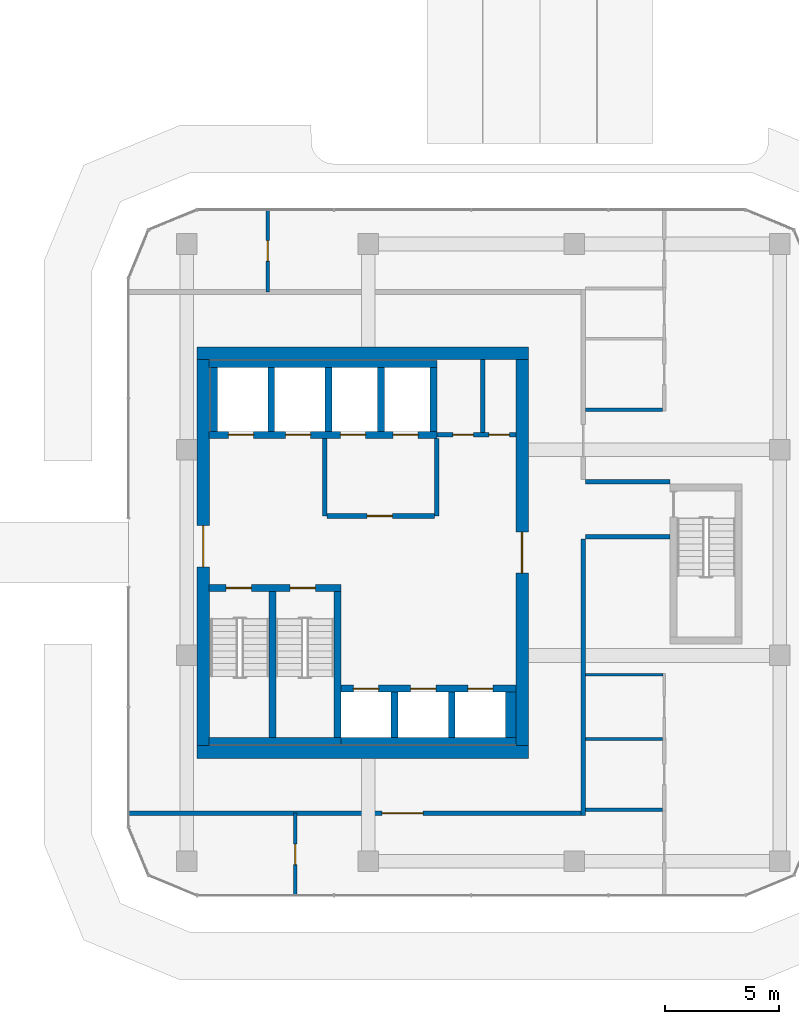
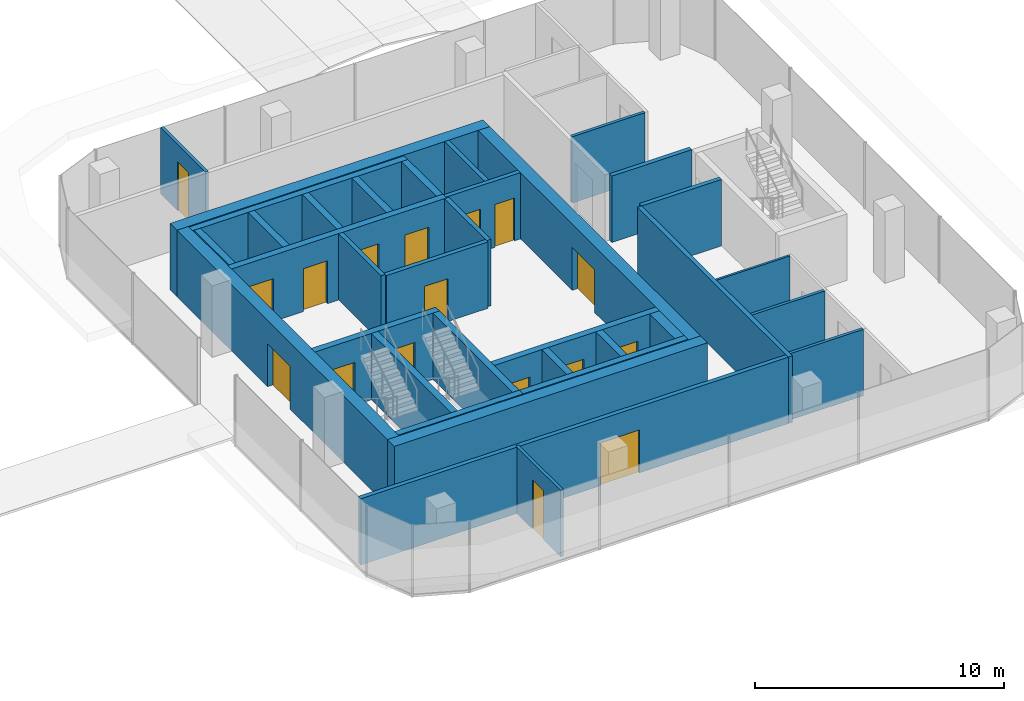
# One storey, part 18 of 24: 35 walls, 17 doors, 17 openings.
"""IFC4 building model written with IfcOpenShell, lengths in metres."""

from ifc_helpers import new_model, si_unit, direction, frame, frame_2d, origin, place, context, subcontext, project, spatial, rectangle, extrude, material, layer, layer_set, type_object, element, fill, save


model = new_model("IFC4")

# Units and contexts
model_context = context("Model", 3, precision=1e-05, world=origin(), true_north=direction((0.0, 1.0)))
body_context = subcontext(model_context, "Body", "Model", "MODEL_VIEW")
ifc_project = project(units=[si_unit("LENGTHUNIT", "METRE"), si_unit("AREAUNIT", "SQUARE_METRE"), si_unit("VOLUMEUNIT", "CUBIC_METRE"), si_unit("PLANEANGLEUNIT", "RADIAN"), si_unit("MASSUNIT", "GRAM", prefix="KILO")], contexts=[model_context])

# Site, building, storey
site_placement = place(None, origin())
site = spatial("IfcSite", under=ifc_project, at=site_placement, CompositionType="ELEMENT")
building_placement = place(site_placement, origin())
building = spatial("IfcBuilding", under=site, at=building_placement, Name="Plateau Cross Towers", CompositionType="ELEMENT")
storey_placement = place(building_placement, frame((0.0, 0.0, 30.300048828125)))
storey = spatial("IfcBuildingStorey", under=building, at=storey_placement, Name="L06", CompositionType="ELEMENT", Elevation=30.300048828125)

# Wall
ifc_material_1 = material(Name="Concrete block, plastered both sides", Category="concrete")
ifc_layer_1 = layer(ifc_material_1, 0.199951171875)
ifc_layer_set_1 = layer_set([ifc_layer_1], Name="Concrete block, plastered both sides")
wall_type_1 = type_object("IfcWallType", Name="Core partition 200", PredefinedType="PARTITIONING", material=ifc_layer_set_1)
wall_1_placement = place(storey_placement, frame((80.60009765625, 10.60009765625, 0.0), z_axis=(0.0, 0.0, 1.0), x_axis=(0.0, 1.0, 0.0)))
element("IfcWall", 1, at=wall_1_placement, inside=storey, type_object=wall_type_1, Name="Core partition", PredefinedType="PARTITIONING", context=body_context, shape_type="SweptSolid", body=[
    extrude(rectangle(XDim=3.39990234375, YDim=0.199951171875, at=frame_2d((1.699951171875, 0.0))), origin(), (0.0, 0.0, 1.0), 3.25),
])

# Wall, opening, door
wall_2_placement = place(storey_placement, frame((80.699951171875, 10.60009765625, 0.0), z_axis=(0.0, 0.0, 1.0), x_axis=(1.0, 0.0, 0.0)))
wall_2 = element("IfcWall", 2, at=wall_2_placement, inside=storey, type_object=wall_type_1, Name="Core partition", PredefinedType="PARTITIONING", context=body_context, shape_type="SweptSolid", body=[
    extrude(rectangle(XDim=4.699951171875, YDim=0.199951171875, at=frame_2d((2.35009765625, 0.0))), origin(), (0.0, 0.0, 1.0), 3.25),
])
opening_1_placement = place(wall_2_placement, frame((1.75, 0.0, 0.0)))
opening_1 = element("IfcOpeningElement", 3, at=opening_1_placement, cuts=wall_2, Name="Opening FFD", PredefinedType="OPENING", context=body_context, shape_type="SweptSolid", body=[
    extrude(rectangle(XDim=1.10009765625, YDim=2.10009765625, at=frame_2d((0.550048828125, 1.050048828125))), frame((0.0, 0.10986328125, 0.0), z_axis=(0.0, -1.0, 0.0), x_axis=(1.0, 0.0, 0.0)), (0.0, 0.0, 1.0), 0.219970703125),
])
ifc_material_2 = material(Name="Steel, fire-resisting leaf", Category="steel")
door_type_1 = type_object("IfcDoorType", Name="Firefighting lobby door 1100", OperationType="NOTDEFINED", PredefinedType="DOOR", material=ifc_material_2)
door_1_placement = place(opening_1_placement, origin())
door_1 = element("IfcDoor", 4, at=door_1_placement, inside=storey, type_object=door_type_1, Name="Firefighting lobby door FFD", OperationType="SINGLE_SWING_LEFT", OverallHeight=2.10009765625, OverallWidth=1.10009765625, PredefinedType="DOOR", context=body_context, shape_type="SweptSolid", body=[
    extrude(rectangle(XDim=1.10009765625, YDim=2.10009765625, at=frame_2d((0.550048828125, 1.050048828125))), frame((0.0, 0.02490234375, 0.0), z_axis=(0.0, -1.0, 0.0), x_axis=(1.0, 0.0, 0.0)), (0.0, 0.0, 1.0), 0.050048828125),
])
fill(opening_1, door_1)

# Wall
wall_3_placement = place(storey_placement, frame((85.5, 10.60009765625, 0.0), z_axis=(0.0, 0.0, 1.0), x_axis=(0.0, 1.0, 0.0)))
element("IfcWall", 5, at=wall_3_placement, inside=storey, type_object=wall_type_1, Name="Core partition", PredefinedType="PARTITIONING", context=body_context, shape_type="SweptSolid", body=[
    extrude(rectangle(XDim=3.39990234375, YDim=0.199951171875, at=frame_2d((1.699951171875, 0.0))), origin(), (0.0, 0.0, 1.0), 3.25),
])

# Wall, openings, doors
wall_4_placement = place(storey_placement, frame((85.5, 14.14990234375, 0.0), z_axis=(0.0, 0.0, 1.0), x_axis=(1.0, 0.0, 0.0)))
wall_4 = element("IfcWall", 6, at=wall_4_placement, inside=storey, type_object=wall_type_1, Name="Core partition", PredefinedType="PARTITIONING", context=body_context, shape_type="SweptSolid", body=[
    extrude(rectangle(XDim=3.449951171875, YDim=0.199951171875, at=frame_2d((1.72509765625, 0.0))), origin(), (0.0, 0.0, 1.0), 3.25),
])
opening_2_placement = place(wall_4_placement, frame((0.699951171875, 0.0, 0.0)))
opening_2 = element("IfcOpeningElement", 7, at=opening_2_placement, cuts=wall_4, Name="Opening RD2", PredefinedType="OPENING", context=body_context, shape_type="SweptSolid", body=[
    extrude(rectangle(XDim=0.89990234375, YDim=2.10009765625, at=frame_2d((0.449951171875, 1.050048828125))), frame((0.0, 0.10986328125, 0.0), z_axis=(0.0, -1.0, 0.0), x_axis=(1.0, 0.0, 0.0)), (0.0, 0.0, 1.0), 0.219970703125),
])
opening_3_placement = place(wall_4_placement, frame((2.27490234375, 0.0, 0.0)))
opening_3 = element("IfcOpeningElement", 8, at=opening_3_placement, cuts=wall_4, Name="Opening RD2", PredefinedType="OPENING", context=body_context, shape_type="SweptSolid", body=[
    extrude(rectangle(XDim=0.89990234375, YDim=2.10009765625, at=frame_2d((0.449951171875, 1.050048828125))), frame((0.0, 0.10986328125, 0.0), z_axis=(0.0, -1.0, 0.0), x_axis=(1.0, 0.0, 0.0)), (0.0, 0.0, 1.0), 0.219970703125),
])
door_type_2 = type_object("IfcDoorType", Name="Core riser door 900", OperationType="NOTDEFINED", PredefinedType="DOOR", material=ifc_material_2)
door_2_placement = place(opening_2_placement, origin())
door_2 = element("IfcDoor", 9, at=door_2_placement, inside=storey, type_object=door_type_2, Name="Core riser door RD2", OperationType="SINGLE_SWING_LEFT", OverallHeight=2.10009765625, OverallWidth=0.89990234375, PredefinedType="DOOR", context=body_context, shape_type="SweptSolid", body=[
    extrude(rectangle(XDim=0.89990234375, YDim=2.10009765625, at=frame_2d((0.449951171875, 1.050048828125))), frame((0.0, 0.02490234375, 0.0), z_axis=(0.0, -1.0, 0.0), x_axis=(1.0, 0.0, 0.0)), (0.0, 0.0, 1.0), 0.050048828125),
])
fill(opening_2, door_2)
door_3_placement = place(opening_3_placement, origin())
door_3 = element("IfcDoor", 10, at=door_3_placement, inside=storey, type_object=door_type_2, Name="Core riser door RD2", OperationType="SINGLE_SWING_LEFT", OverallHeight=2.10009765625, OverallWidth=0.89990234375, PredefinedType="DOOR", context=body_context, shape_type="SweptSolid", body=[
    extrude(rectangle(XDim=0.89990234375, YDim=2.10009765625, at=frame_2d((0.449951171875, 1.050048828125))), frame((0.0, 0.02490234375, 0.0), z_axis=(0.0, -1.0, 0.0), x_axis=(1.0, 0.0, 0.0)), (0.0, 0.0, 1.0), 0.050048828125),
])
fill(opening_3, door_3)

# Walls
wall_5_placement = place(storey_placement, frame((87.5, 14.25, 0.0), z_axis=(0.0, 0.0, 1.0), x_axis=(0.0, 1.0, 0.0)))
element("IfcWall", 11, at=wall_5_placement, inside=storey, type_object=wall_type_1, Name="Core partition", PredefinedType="PARTITIONING", context=body_context, shape_type="SweptSolid", body=[
    extrude(rectangle(XDim=3.199951171875, YDim=0.199951171875, at=frame_2d((1.60009765625, 0.0))), origin(), (0.0, 0.0, 1.0), 3.25),
])
ifc_material_3 = material(Name="Concrete C60/75", Category="concrete")
ifc_layer_2 = layer(ifc_material_3, 0.300048828125)
ifc_layer_set_2 = layer_set([ifc_layer_2], Name="Concrete C60/75")
wall_type_2 = type_object("IfcWallType", Name="Core shaft wall 300", PredefinedType="SHEAR", material=ifc_layer_set_2)
wall_6_placement = place(storey_placement, frame((75.530029296875, 0.75, 0.0), z_axis=(0.0, 0.0, 1.0), x_axis=(1.0, 0.0, 0.0)))
element("IfcWall", 12, at=wall_6_placement, inside=storey, type_object=wall_type_2, Name="B-sb-stS@L06", PredefinedType="SHEAR", context=body_context, shape_type="SweptSolid", body=[
    extrude(rectangle(XDim=5.77001953125, YDim=0.300048828125, at=frame_2d((2.885009765625, 0.0))), origin(), (0.0, 0.0, 1.0), 3.25),
])

# Wall, openings, doors
wall_7_placement = place(storey_placement, frame((75.530029296875, 7.449951171875, 0.0), z_axis=(0.0, 0.0, 1.0), x_axis=(1.0, 0.0, 0.0)))
wall_7 = element("IfcWall", 13, at=wall_7_placement, inside=storey, type_object=wall_type_2, Name="B-sb-stN@L06", PredefinedType="SHEAR", context=body_context, shape_type="SweptSolid", body=[
    extrude(rectangle(XDim=5.77001953125, YDim=0.300048828125, at=frame_2d((2.885009765625, 0.0))), origin(), (0.0, 0.0, 1.0), 3.25),
])
opening_4_placement = place(wall_7_placement, frame((0.75, 0.0, 0.0)))
opening_4 = element("IfcOpeningElement", 14, at=opening_4_placement, cuts=wall_7, Name="Opening SD", PredefinedType="OPENING", context=body_context, shape_type="SweptSolid", body=[
    extrude(rectangle(XDim=1.10009765625, YDim=2.10009765625, at=frame_2d((0.550048828125, 1.050048828125))), frame((0.0, 0.159912109375, 0.0), z_axis=(0.0, -1.0, 0.0), x_axis=(1.0, 0.0, 0.0)), (0.0, 0.0, 1.0), 0.320068359375),
])
opening_5_placement = place(wall_7_placement, frame((3.550048828125, 0.0, 0.0)))
opening_5 = element("IfcOpeningElement", 15, at=opening_5_placement, cuts=wall_7, Name="Opening SD", PredefinedType="OPENING", context=body_context, shape_type="SweptSolid", body=[
    extrude(rectangle(XDim=1.10009765625, YDim=2.10009765625, at=frame_2d((0.550048828125, 1.050048828125))), frame((0.0, 0.159912109375, 0.0), z_axis=(0.0, -1.0, 0.0), x_axis=(1.0, 0.0, 0.0)), (0.0, 0.0, 1.0), 0.320068359375),
])
door_type_3 = type_object("IfcDoorType", Name="Stair door 1100", OperationType="NOTDEFINED", PredefinedType="DOOR", material=ifc_material_2)
door_4_placement = place(opening_4_placement, origin())
door_4 = element("IfcDoor", 16, at=door_4_placement, inside=storey, type_object=door_type_3, Name="Stair door SD", OperationType="SINGLE_SWING_RIGHT", OverallHeight=2.10009765625, OverallWidth=1.10009765625, PredefinedType="DOOR", context=body_context, shape_type="SweptSolid", body=[
    extrude(rectangle(XDim=1.10009765625, YDim=2.10009765625, at=frame_2d((0.550048828125, 1.050048828125))), frame((0.0, 0.02490234375, 0.0), z_axis=(0.0, -1.0, 0.0), x_axis=(1.0, 0.0, 0.0)), (0.0, 0.0, 1.0), 0.050048828125),
])
fill(opening_4, door_4)
door_5_placement = place(opening_5_placement, origin())
door_5 = element("IfcDoor", 17, at=door_5_placement, inside=storey, type_object=door_type_3, Name="Stair door SD", OperationType="SINGLE_SWING_LEFT", OverallHeight=2.10009765625, OverallWidth=1.10009765625, PredefinedType="DOOR", context=body_context, shape_type="SweptSolid", body=[
    extrude(rectangle(XDim=1.10009765625, YDim=2.10009765625, at=frame_2d((0.550048828125, 1.050048828125))), frame((0.0, 0.02490234375, 0.0), z_axis=(0.0, -1.0, 0.0), x_axis=(1.0, 0.0, 0.0)), (0.0, 0.0, 1.0), 0.050048828125),
])
fill(opening_5, door_5)

# Walls
for number, where, z_axis, x_axis, name in (
    (18, (78.300048828125, 0.89990234375, 0.0), (0.0, 0.0, 1.0), (0.0, 1.0, 0.0), "B-sb-st1@L06"),
    (19, (81.14990234375, 0.89990234375, 0.0), (0.0, 0.0, 1.0), (0.0, 1.0, 0.0), "B-sb-st2@L06"),
):
    element("IfcWall", number, at=place(storey_placement, frame(where, z_axis=z_axis, x_axis=x_axis)), inside=storey, type_object=wall_type_2, Name=name, PredefinedType="SHEAR", context=body_context, shape_type="SweptSolid", body=[
        extrude(rectangle(XDim=6.400146484375, YDim=0.300048828125, at=frame_2d((3.2001953125, 0.0))), origin(), (0.0, 0.0, 1.0), 3.25),
    ])
wall_8_placement = place(storey_placement, frame((81.300048828125, 0.75, 0.0), z_axis=(0.0, 0.0, 1.0), x_axis=(1.0, 0.0, 0.0)))
element("IfcWall", 20, at=wall_8_placement, inside=storey, type_object=wall_type_2, Name="B-sb-back@L06", PredefinedType="SHEAR", context=body_context, shape_type="SweptSolid", body=[
    extrude(rectangle(XDim=7.64990234375, YDim=0.300048828125, at=frame_2d((3.824951171875, 0.0))), origin(), (0.0, 0.0, 1.0), 3.25),
])
for number, where, z_axis, x_axis, name in (
    (21, (83.64990234375, 0.89990234375, 0.0), (0.0, 0.0, 1.0), (0.0, 1.0, 0.0), "B-sb-v1@L06"),
    (22, (86.14990234375, 0.89990234375, 0.0), (0.0, 0.0, 1.0), (0.0, 1.0, 0.0), "B-sb-v2@L06"),
):
    element("IfcWall", number, at=place(storey_placement, frame(where, z_axis=z_axis, x_axis=x_axis)), inside=storey, type_object=wall_type_2, Name=name, PredefinedType="SHEAR", context=body_context, shape_type="SweptSolid", body=[
        extrude(rectangle(XDim=2.0, YDim=0.300048828125, at=frame_2d((1.0, 0.0))), origin(), (0.0, 0.0, 1.0), 3.25),
    ])

# Wall, openings, doors
wall_9_placement = place(storey_placement, frame((81.300048828125, 3.050048828125, 0.0), z_axis=(0.0, 0.0, 1.0), x_axis=(1.0, 0.0, 0.0)))
wall_9 = element("IfcWall", 23, at=wall_9_placement, inside=storey, type_object=wall_type_2, Name="B-sb-front@L06", PredefinedType="SHEAR", context=body_context, shape_type="SweptSolid", body=[
    extrude(rectangle(XDim=7.64990234375, YDim=0.300048828125, at=frame_2d((3.824951171875, 0.0))), origin(), (0.0, 0.0, 1.0), 3.25),
])
opening_6_placement = place(wall_9_placement, frame((0.550048828125, 0.0, 0.0)))
opening_6 = element("IfcOpeningElement", 24, at=opening_6_placement, cuts=wall_9, Name="Opening LD", PredefinedType="OPENING", context=body_context, shape_type="SweptSolid", body=[
    extrude(rectangle(XDim=1.10009765625, YDim=2.10009765625, at=frame_2d((0.550048828125, 1.050048828125))), frame((0.0, 0.159912109375, 0.0), z_axis=(0.0, -1.0, 0.0), x_axis=(1.0, 0.0, 0.0)), (0.0, 0.0, 1.0), 0.320068359375),
])
opening_7_placement = place(wall_9_placement, frame((3.050048828125, 0.0, 0.0)))
opening_7 = element("IfcOpeningElement", 25, at=opening_7_placement, cuts=wall_9, Name="Opening LD", PredefinedType="OPENING", context=body_context, shape_type="SweptSolid", body=[
    extrude(rectangle(XDim=1.10009765625, YDim=2.10009765625, at=frame_2d((0.550048828125, 1.050048828125))), frame((0.0, 0.159912109375, 0.0), z_axis=(0.0, -1.0, 0.0), x_axis=(1.0, 0.0, 0.0)), (0.0, 0.0, 1.0), 0.320068359375),
])
opening_8_placement = place(wall_9_placement, frame((5.550048828125, 0.0, 0.0)))
opening_8 = element("IfcOpeningElement", 26, at=opening_8_placement, cuts=wall_9, Name="Opening LD", PredefinedType="OPENING", context=body_context, shape_type="SweptSolid", body=[
    extrude(rectangle(XDim=1.10009765625, YDim=2.10009765625, at=frame_2d((0.550048828125, 1.050048828125))), frame((0.0, 0.159912109375, 0.0), z_axis=(0.0, -1.0, 0.0), x_axis=(1.0, 0.0, 0.0)), (0.0, 0.0, 1.0), 0.320068359375),
])
ifc_material_4 = material(Name="Stainless steel, fire-resisting sliding leaves", Category="steel")
door_type_4 = type_object("IfcDoorType", Name="Lift landing door 1100", OperationType="NOTDEFINED", PredefinedType="DOOR", material=ifc_material_4)
door_6_placement = place(opening_6_placement, origin())
door_6 = element("IfcDoor", 27, at=door_6_placement, inside=storey, type_object=door_type_4, Name="Lift landing door LD", OperationType="DOUBLE_DOOR_SLIDING", OverallHeight=2.10009765625, OverallWidth=1.10009765625, PredefinedType="DOOR", context=body_context, shape_type="SweptSolid", body=[
    extrude(rectangle(XDim=1.10009765625, YDim=2.10009765625, at=frame_2d((0.550048828125, 1.050048828125))), frame((0.0, 0.02490234375, 0.0), z_axis=(0.0, -1.0, 0.0), x_axis=(1.0, 0.0, 0.0)), (0.0, 0.0, 1.0), 0.050048828125),
])
fill(opening_6, door_6)
door_7_placement = place(opening_7_placement, origin())
door_7 = element("IfcDoor", 28, at=door_7_placement, inside=storey, type_object=door_type_4, Name="Lift landing door LD", OperationType="DOUBLE_DOOR_SLIDING", OverallHeight=2.10009765625, OverallWidth=1.10009765625, PredefinedType="DOOR", context=body_context, shape_type="SweptSolid", body=[
    extrude(rectangle(XDim=1.10009765625, YDim=2.10009765625, at=frame_2d((0.550048828125, 1.050048828125))), frame((0.0, 0.02490234375, 0.0), z_axis=(0.0, -1.0, 0.0), x_axis=(1.0, 0.0, 0.0)), (0.0, 0.0, 1.0), 0.050048828125),
])
fill(opening_7, door_7)
door_8_placement = place(opening_8_placement, origin())
door_8 = element("IfcDoor", 29, at=door_8_placement, inside=storey, type_object=door_type_4, Name="Lift landing door LD", OperationType="DOUBLE_DOOR_SLIDING", OverallHeight=2.10009765625, OverallWidth=1.10009765625, PredefinedType="DOOR", context=body_context, shape_type="SweptSolid", body=[
    extrude(rectangle(XDim=1.10009765625, YDim=2.10009765625, at=frame_2d((0.550048828125, 1.050048828125))), frame((0.0, 0.02490234375, 0.0), z_axis=(0.0, -1.0, 0.0), x_axis=(1.0, 0.0, 0.0)), (0.0, 0.0, 1.0), 0.050048828125),
])
fill(opening_8, door_8)

# Wall
wall_10_placement = place(storey_placement, frame((75.530029296875, 17.25, 0.0), z_axis=(0.0, 0.0, 1.0), x_axis=(1.0, 0.0, 0.0)))
element("IfcWall", 30, at=wall_10_placement, inside=storey, type_object=wall_type_2, Name="B-nb-back@L06", PredefinedType="SHEAR", context=body_context, shape_type="SweptSolid", body=[
    extrude(rectangle(XDim=9.969970703125, YDim=0.300048828125, at=frame_2d((4.98486328125, 0.0))), origin(), (0.0, 0.0, 1.0), 3.25),
])

# Wall, openings, doors
wall_11_placement = place(storey_placement, frame((75.530029296875, 14.14990234375, 0.0), z_axis=(0.0, 0.0, 1.0), x_axis=(1.0, 0.0, 0.0)))
wall_11 = element("IfcWall", 31, at=wall_11_placement, inside=storey, type_object=wall_type_2, Name="B-nb-front@L06", PredefinedType="SHEAR", context=body_context, shape_type="SweptSolid", body=[
    extrude(rectangle(XDim=9.969970703125, YDim=0.300048828125, at=frame_2d((4.98486328125, 0.0))), origin(), (0.0, 0.0, 1.0), 3.25),
])
opening_9_placement = place(wall_11_placement, frame((0.85009765625, 0.0, 0.0)))
opening_9 = element("IfcOpeningElement", 32, at=opening_9_placement, cuts=wall_11, Name="Opening LD", PredefinedType="OPENING", context=body_context, shape_type="SweptSolid", body=[
    extrude(rectangle(XDim=1.10009765625, YDim=2.10009765625, at=frame_2d((0.550048828125, 1.050048828125))), frame((0.0, 0.159912109375, 0.0), z_axis=(0.0, -1.0, 0.0), x_axis=(1.0, 0.0, 0.0)), (0.0, 0.0, 1.0), 0.320068359375),
])
opening_10_placement = place(wall_11_placement, frame((3.35009765625, 0.0, 0.0)))
opening_10 = element("IfcOpeningElement", 33, at=opening_10_placement, cuts=wall_11, Name="Opening LD", PredefinedType="OPENING", context=body_context, shape_type="SweptSolid", body=[
    extrude(rectangle(XDim=1.10009765625, YDim=2.10009765625, at=frame_2d((0.550048828125, 1.050048828125))), frame((0.0, 0.159912109375, 0.0), z_axis=(0.0, -1.0, 0.0), x_axis=(1.0, 0.0, 0.0)), (0.0, 0.0, 1.0), 0.320068359375),
])
opening_11_placement = place(wall_11_placement, frame((5.75, 0.0, 0.0)))
opening_11 = element("IfcOpeningElement", 34, at=opening_11_placement, cuts=wall_11, Name="Opening LD", PredefinedType="OPENING", context=body_context, shape_type="SweptSolid", body=[
    extrude(rectangle(XDim=1.10009765625, YDim=2.10009765625, at=frame_2d((0.550048828125, 1.050048828125))), frame((0.0, 0.159912109375, 0.0), z_axis=(0.0, -1.0, 0.0), x_axis=(1.0, 0.0, 0.0)), (0.0, 0.0, 1.0), 0.320068359375),
])
opening_12_placement = place(wall_11_placement, frame((8.050048828125, 0.0, 0.0)))
opening_12 = element("IfcOpeningElement", 35, at=opening_12_placement, cuts=wall_11, Name="Opening LD", PredefinedType="OPENING", context=body_context, shape_type="SweptSolid", body=[
    extrude(rectangle(XDim=1.10009765625, YDim=2.10009765625, at=frame_2d((0.550048828125, 1.050048828125))), frame((0.0, 0.159912109375, 0.0), z_axis=(0.0, -1.0, 0.0), x_axis=(1.0, 0.0, 0.0)), (0.0, 0.0, 1.0), 0.320068359375),
])
door_9_placement = place(opening_9_placement, origin())
door_9 = element("IfcDoor", 36, at=door_9_placement, inside=storey, type_object=door_type_4, Name="Lift landing door LD", OperationType="DOUBLE_DOOR_SLIDING", OverallHeight=2.10009765625, OverallWidth=1.10009765625, PredefinedType="DOOR", context=body_context, shape_type="SweptSolid", body=[
    extrude(rectangle(XDim=1.10009765625, YDim=2.10009765625, at=frame_2d((0.550048828125, 1.050048828125))), frame((0.0, 0.02490234375, 0.0), z_axis=(0.0, -1.0, 0.0), x_axis=(1.0, 0.0, 0.0)), (0.0, 0.0, 1.0), 0.050048828125),
])
fill(opening_9, door_9)
door_10_placement = place(opening_10_placement, origin())
door_10 = element("IfcDoor", 37, at=door_10_placement, inside=storey, type_object=door_type_4, Name="Lift landing door LD", OperationType="DOUBLE_DOOR_SLIDING", OverallHeight=2.10009765625, OverallWidth=1.10009765625, PredefinedType="DOOR", context=body_context, shape_type="SweptSolid", body=[
    extrude(rectangle(XDim=1.10009765625, YDim=2.10009765625, at=frame_2d((0.550048828125, 1.050048828125))), frame((0.0, 0.02490234375, 0.0), z_axis=(0.0, -1.0, 0.0), x_axis=(1.0, 0.0, 0.0)), (0.0, 0.0, 1.0), 0.050048828125),
])
fill(opening_10, door_10)
door_11_placement = place(opening_11_placement, origin())
door_11 = element("IfcDoor", 38, at=door_11_placement, inside=storey, type_object=door_type_4, Name="Lift landing door LD", OperationType="DOUBLE_DOOR_SLIDING", OverallHeight=2.10009765625, OverallWidth=1.10009765625, PredefinedType="DOOR", context=body_context, shape_type="SweptSolid", body=[
    extrude(rectangle(XDim=1.10009765625, YDim=2.10009765625, at=frame_2d((0.550048828125, 1.050048828125))), frame((0.0, 0.02490234375, 0.0), z_axis=(0.0, -1.0, 0.0), x_axis=(1.0, 0.0, 0.0)), (0.0, 0.0, 1.0), 0.050048828125),
])
fill(opening_11, door_11)
door_12_placement = place(opening_12_placement, origin())
door_12 = element("IfcDoor", 39, at=door_12_placement, inside=storey, type_object=door_type_4, Name="Lift landing door LD", OperationType="DOUBLE_DOOR_SLIDING", OverallHeight=2.10009765625, OverallWidth=1.10009765625, PredefinedType="DOOR", context=body_context, shape_type="SweptSolid", body=[
    extrude(rectangle(XDim=1.10009765625, YDim=2.10009765625, at=frame_2d((0.550048828125, 1.050048828125))), frame((0.0, 0.02490234375, 0.0), z_axis=(0.0, -1.0, 0.0), x_axis=(1.0, 0.0, 0.0)), (0.0, 0.0, 1.0), 0.050048828125),
])
fill(opening_12, door_12)

# Walls
for number, where, z_axis, x_axis, name in (
    (40, (75.75, 14.300048828125, 0.0), (0.0, 0.0, 1.0), (0.0, 1.0, 0.0), "B-nb-v0@L06"),
    (41, (78.25, 14.300048828125, 0.0), (0.0, 0.0, 1.0), (0.0, 1.0, 0.0), "B-nb-v1@L06"),
    (42, (80.75, 14.300048828125, 0.0), (0.0, 0.0, 1.0), (0.0, 1.0, 0.0), "B-nb-v2@L06"),
    (43, (83.050048828125, 14.300048828125, 0.0), (0.0, 0.0, 1.0), (0.0, 1.0, 0.0), "B-nb-v3@L06"),
    (44, (85.35009765625, 14.300048828125, 0.0), (0.0, 0.0, 1.0), (0.0, 1.0, 0.0), "B-nb-v4@L06"),
):
    element("IfcWall", number, at=place(storey_placement, frame(where, z_axis=z_axis, x_axis=x_axis)), inside=storey, type_object=wall_type_2, Name=name, PredefinedType="SHEAR", context=body_context, shape_type="SweptSolid", body=[
        extrude(rectangle(XDim=2.800048828125, YDim=0.300048828125, at=frame_2d((1.39990234375, 0.0))), origin(), (0.0, 0.0, 1.0), 3.25),
    ])
ifc_layer_3 = layer(ifc_material_3, 0.449951171875)
ifc_layer_set_3 = layer_set([ifc_layer_3], Name="Concrete C60/75")
wall_type_3 = type_object("IfcWallType", Name="Core shaft wall 450", PredefinedType="SHEAR", material=ifc_layer_set_3)
wall_12_placement = place(storey_placement, frame((88.72509765625, 0.89990234375, 0.0), z_axis=(0.0, 0.0, 1.0), x_axis=(0.0, 1.0, 0.0)))
element("IfcWall", 45, at=wall_12_placement, inside=storey, type_object=wall_type_3, Name="B-sb-v3@L06", PredefinedType="SHEAR", context=body_context, shape_type="SweptSolid", body=[
    extrude(rectangle(XDim=2.0, YDim=0.449951171875, at=frame_2d((1.0, 0.0))), origin(), (0.0, 0.0, 1.0), 3.25),
])
ifc_layer_4 = layer(ifc_material_3, 0.550048828125)
ifc_layer_set_4 = layer_set([ifc_layer_4], Name="Concrete C60/75")
wall_type_4 = type_object("IfcWallType", Name="Core shell wall 550", PredefinedType="SHEAR", material=ifc_layer_set_4)
for number, where, z_axis, x_axis, name in (
    (46, (75.0, 0.27490234375, 0.0), (0.0, 0.0, 1.0), (1.0, 0.0, 0.0), "B-core-S@L06"),
    (47, (75.0, 17.72509765625, 0.0), (0.0, 0.0, 1.0), (1.0, 0.0, 0.0), "B-core-N@L06"),
):
    element("IfcWall", number, at=place(storey_placement, frame(where, z_axis=z_axis, x_axis=x_axis)), inside=storey, type_object=wall_type_4, Name=name, PredefinedType="SHEAR", context=body_context, shape_type="SweptSolid", body=[
        extrude(rectangle(XDim=14.5, YDim=0.550048828125, at=frame_2d((7.25, 0.0))), origin(), (0.0, 0.0, 1.0), 3.25),
    ])

# Wall, opening, door
wall_13_placement = place(storey_placement, frame((75.27490234375, 0.550048828125, 0.0), z_axis=(0.0, 0.0, 1.0), x_axis=(0.0, 1.0, 0.0)))
wall_13 = element("IfcWall", 48, at=wall_13_placement, inside=storey, type_object=wall_type_4, Name="B-core-W@L06", PredefinedType="SHEAR", context=body_context, shape_type="SweptSolid", body=[
    extrude(rectangle(XDim=16.89990234375, YDim=0.550048828125, at=frame_2d((8.449951171875, 0.0))), origin(), (0.0, 0.0, 1.0), 3.25),
])
opening_13_placement = place(wall_13_placement, frame((7.824951171875, 0.0, 0.0)))
opening_13 = element("IfcOpeningElement", 49, at=opening_13_placement, cuts=wall_13, Name="Opening CD", PredefinedType="OPENING", context=body_context, shape_type="SweptSolid", body=[
    extrude(rectangle(XDim=1.800048828125, YDim=2.10009765625, at=frame_2d((0.89990234375, 1.050048828125))), frame((0.0, 0.284912109375, 0.0), z_axis=(0.0, -1.0, 0.0), x_axis=(1.0, 0.0, 0.0)), (0.0, 0.0, 1.0), 0.570068359375),
])
ifc_material_5 = material(Name="Steel, fire-resisting leaves", Category="steel")
door_type_5 = type_object("IfcDoorType", Name="Corridor door pair 1800", OperationType="NOTDEFINED", PredefinedType="DOOR", material=ifc_material_5)
door_13_placement = place(opening_13_placement, origin())
door_13 = element("IfcDoor", 50, at=door_13_placement, inside=storey, type_object=door_type_5, Name="Corridor door pair CD", OperationType="DOUBLE_DOOR_SINGLE_SWING", OverallHeight=2.10009765625, OverallWidth=1.800048828125, PredefinedType="DOOR", context=body_context, shape_type="SweptSolid", body=[
    extrude(rectangle(XDim=1.800048828125, YDim=2.10009765625, at=frame_2d((0.89990234375, 1.050048828125))), frame((0.0, 0.02490234375, 0.0), z_axis=(0.0, -1.0, 0.0), x_axis=(1.0, 0.0, 0.0)), (0.0, 0.0, 1.0), 0.050048828125),
])
fill(opening_13, door_13)

wall_14_placement = place(storey_placement, frame((89.22509765625, 0.550048828125, 0.0), z_axis=(0.0, 0.0, 1.0), x_axis=(0.0, 1.0, 0.0)))
wall_14 = element("IfcWall", 51, at=wall_14_placement, inside=storey, type_object=wall_type_4, Name="B-core-E@L06", PredefinedType="SHEAR", context=body_context, shape_type="SweptSolid", body=[
    extrude(rectangle(XDim=16.89990234375, YDim=0.550048828125, at=frame_2d((8.449951171875, 0.0))), origin(), (0.0, 0.0, 1.0), 3.25),
])
opening_14_placement = place(wall_14_placement, frame((7.550048828125, 0.0, 0.0)))
opening_14 = element("IfcOpeningElement", 52, at=opening_14_placement, cuts=wall_14, Name="Opening CD", PredefinedType="OPENING", context=body_context, shape_type="SweptSolid", body=[
    extrude(rectangle(XDim=1.800048828125, YDim=2.10009765625, at=frame_2d((0.89990234375, 1.050048828125))), frame((0.0, 0.284912109375, 0.0), z_axis=(0.0, -1.0, 0.0), x_axis=(1.0, 0.0, 0.0)), (0.0, 0.0, 1.0), 0.570068359375),
])
door_14_placement = place(opening_14_placement, origin())
door_14 = element("IfcDoor", 53, at=door_14_placement, inside=storey, type_object=door_type_5, Name="Corridor door pair CD", OperationType="DOUBLE_DOOR_SINGLE_SWING", OverallHeight=2.10009765625, OverallWidth=1.800048828125, PredefinedType="DOOR", context=body_context, shape_type="SweptSolid", body=[
    extrude(rectangle(XDim=1.800048828125, YDim=2.10009765625, at=frame_2d((0.89990234375, 1.050048828125))), frame((0.0, 0.02490234375, 0.0), z_axis=(0.0, -1.0, 0.0), x_axis=(1.0, 0.0, 0.0)), (0.0, 0.0, 1.0), 0.050048828125),
])
fill(opening_14, door_14)

ifc_material_6 = material(Name="Gypsum board on steel studs, two layers each side", Category="steel")
ifc_layer_5 = layer(ifc_material_6, 0.199951171875)
ifc_layer_set_5 = layer_set([ifc_layer_5], Name="Gypsum board on steel studs, two layers each side")
wall_type_5 = type_object("IfcWallType", Name="Corridor wall 200", PredefinedType="PARTITIONING", material=ifc_layer_set_5)
wall_15_placement = place(storey_placement, frame((72.0, -2.39990234375, 0.0), z_axis=(0.0, 0.0, 1.0), x_axis=(1.0, 0.0, 0.0)))
wall_15 = element("IfcWall", 54, at=wall_15_placement, inside=storey, type_object=wall_type_5, Name="Ring wall", PredefinedType="PARTITIONING", context=body_context, shape_type="SweptSolid", body=[
    extrude(rectangle(XDim=20.0, YDim=0.199951171875, at=frame_2d((10.0, 0.0))), origin(), (0.0, 0.0, 1.0), 3.25),
])
opening_15_placement = place(wall_15_placement, frame((11.10009765625, 0.0, 0.0)))
opening_15 = element("IfcOpeningElement", 55, at=opening_15_placement, cuts=wall_15, Name="Opening D-BE18", PredefinedType="OPENING", context=body_context, shape_type="SweptSolid", body=[
    extrude(rectangle(XDim=1.800048828125, YDim=2.10009765625, at=frame_2d((0.89990234375, 1.050048828125))), frame((0.0, 0.10986328125, 0.0), z_axis=(0.0, -1.0, 0.0), x_axis=(1.0, 0.0, 0.0)), (0.0, 0.0, 1.0), 0.219970703125),
])
ifc_material_7 = material(Name="Timber, fire-resisting leaves", Category="wood")
door_type_6 = type_object("IfcDoorType", Name="Tenant entrance door pair 1800", OperationType="NOTDEFINED", PredefinedType="DOOR", material=ifc_material_7)
door_15_placement = place(opening_15_placement, origin())
door_15 = element("IfcDoor", 56, at=door_15_placement, inside=storey, type_object=door_type_6, Name="Door D-BE18", OperationType="DOUBLE_DOOR_SINGLE_SWING", OverallHeight=2.10009765625, OverallWidth=1.800048828125, PredefinedType="DOOR", context=body_context, shape_type="SweptSolid", body=[
    extrude(rectangle(XDim=1.800048828125, YDim=2.10009765625, at=frame_2d((0.89990234375, 1.050048828125))), frame((0.0, 0.02490234375, 0.0), z_axis=(0.0, -1.0, 0.0), x_axis=(1.0, 0.0, 0.0)), (0.0, 0.0, 1.0), 0.050048828125),
])
fill(opening_15, door_15)

# Walls
wall_16_placement = place(storey_placement, frame((91.89990234375, -2.5, 0.0), z_axis=(0.0, 0.0, 1.0), x_axis=(0.0, 1.0, 0.0)))
element("IfcWall", 57, at=wall_16_placement, inside=storey, type_object=wall_type_5, Name="Ring wall", PredefinedType="PARTITIONING", context=body_context, shape_type="SweptSolid", body=[
    extrude(rectangle(XDim=12.10009765625, YDim=0.199951171875, at=frame_2d((6.050048828125, 0.0))), origin(), (0.0, 0.0, 1.0), 3.25),
])
for number, where, z_axis, x_axis, name in (
    (58, (92.0, 9.699951171875, 0.0), (0.0, 0.0, 1.0), (1.0, 0.0, 0.0), "Ring wall"),
    (59, (92.0, 12.10009765625, 0.0), (0.0, 0.0, 1.0), (1.0, 0.0, 0.0), "Ring wall"),
):
    element("IfcWall", number, at=place(storey_placement, frame(where, z_axis=z_axis, x_axis=x_axis)), inside=storey, type_object=wall_type_5, Name=name, PredefinedType="PARTITIONING", context=body_context, shape_type="SweptSolid", body=[
        extrude(rectangle(XDim=3.699951171875, YDim=0.199951171875, at=frame_2d((1.85009765625, 0.0))), origin(), (0.0, 0.0, 1.0), 3.25),
    ])

# Wall, opening, door
ifc_material_8 = material(Name="Gypsum board on staggered steel studs, mineral wool, two layers each side", Category="steel")
ifc_layer_6 = layer(ifc_material_8, 0.139892578125)
ifc_layer_set_6 = layer_set([ifc_layer_6], Name="Gypsum board on staggered steel studs, mineral wool, two layers each side")
wall_type_6 = type_object("IfcWallType", Name="Meeting room acoustic partition 140", PredefinedType="PARTITIONING", material=ifc_layer_set_6)
wall_17_placement = place(storey_placement, frame((79.300048828125, -6.0, 0.0), z_axis=(0.0, 0.0, 1.0), x_axis=(0.0, 1.0, 0.0)))
wall_17 = element("IfcWall", 60, at=wall_17_placement, inside=storey, type_object=wall_type_6, Name="Acoustic wall", PredefinedType="PARTITIONING", context=body_context, shape_type="SweptSolid", body=[
    extrude(rectangle(XDim=3.60009765625, YDim=0.139892578125, at=frame_2d((1.800048828125, 0.0))), origin(), (0.0, 0.0, 1.0), 3.25),
])
opening_16_placement = place(wall_17_placement, frame((1.35009765625, 0.0, 0.0)))
opening_16 = element("IfcOpeningElement", 61, at=opening_16_placement, cuts=wall_17, Name="Opening D-BM9", PredefinedType="OPENING", context=body_context, shape_type="SweptSolid", body=[
    extrude(rectangle(XDim=0.89990234375, YDim=2.39990234375, at=frame_2d((0.449951171875, 1.199951171875))), frame((0.0, 0.079833984375, 0.0), z_axis=(0.0, -1.0, 0.0), x_axis=(1.0, 0.0, 0.0)), (0.0, 0.0, 1.0), 0.159912109375),
])
ifc_material_9 = material(Name="Timber leaf, full height", Category="wood")
door_type_7 = type_object("IfcDoorType", Name="Meeting room door 900x2400", OperationType="NOTDEFINED", PredefinedType="DOOR", material=ifc_material_9)
door_16_placement = place(opening_16_placement, origin())
door_16 = element("IfcDoor", 62, at=door_16_placement, inside=storey, type_object=door_type_7, Name="Door D-BM9", OperationType="SINGLE_SWING_LEFT", OverallHeight=2.39990234375, OverallWidth=0.89990234375, PredefinedType="DOOR", context=body_context, shape_type="SweptSolid", body=[
    extrude(rectangle(XDim=0.89990234375, YDim=2.39990234375, at=frame_2d((0.449951171875, 1.199951171875))), frame((0.0, 0.02490234375, 0.0), z_axis=(0.0, -1.0, 0.0), x_axis=(1.0, 0.0, 0.0)), (0.0, 0.0, 1.0), 0.050048828125),
])
fill(opening_16, door_16)

# Walls
for number, where, z_axis, x_axis, name in (
    (63, (92.0, -2.25, 0.0), (0.0, 0.0, 1.0), (1.0, 0.0, 0.0), "Acoustic wall"),
    (64, (92.0, 0.85009765625, 0.0), (0.0, 0.0, 1.0), (1.0, 0.0, 0.0), "Acoustic wall"),
    (65, (92.0, 15.25, 0.0), (0.0, 0.0, 1.0), (1.0, 0.0, 0.0), "Acoustic wall"),
):
    element("IfcWall", number, at=place(storey_placement, frame(where, z_axis=z_axis, x_axis=x_axis)), inside=storey, type_object=wall_type_6, Name=name, PredefinedType="PARTITIONING", context=body_context, shape_type="SweptSolid", body=[
        extrude(rectangle(XDim=3.3798828125, YDim=0.139892578125, at=frame_2d((1.68994140625, 0.0))), origin(), (0.0, 0.0, 1.0), 3.25),
    ])

# Wall, opening, door
wall_18_placement = place(storey_placement, frame((78.10009765625, 20.39990234375, 0.0), z_axis=(0.0, 0.0, 1.0), x_axis=(0.0, 1.0, 0.0)))
wall_18 = element("IfcWall", 66, at=wall_18_placement, inside=storey, type_object=wall_type_6, Name="Acoustic wall", PredefinedType="PARTITIONING", context=body_context, shape_type="SweptSolid", body=[
    extrude(rectangle(XDim=3.60009765625, YDim=0.139892578125, at=frame_2d((1.800048828125, 0.0))), origin(), (0.0, 0.0, 1.0), 3.25),
])
opening_17_placement = place(wall_18_placement, frame((1.35009765625, 0.0, 0.0)))
opening_17 = element("IfcOpeningElement", 67, at=opening_17_placement, cuts=wall_18, Name="Opening D-BM9", PredefinedType="OPENING", context=body_context, shape_type="SweptSolid", body=[
    extrude(rectangle(XDim=0.89990234375, YDim=2.39990234375, at=frame_2d((0.449951171875, 1.199951171875))), frame((0.0, 0.079833984375, 0.0), z_axis=(0.0, -1.0, 0.0), x_axis=(1.0, 0.0, 0.0)), (0.0, 0.0, 1.0), 0.159912109375),
])
door_17_placement = place(opening_17_placement, origin())
door_17 = element("IfcDoor", 68, at=door_17_placement, inside=storey, type_object=door_type_7, Name="Door D-BM9", OperationType="SINGLE_SWING_LEFT", OverallHeight=2.39990234375, OverallWidth=0.89990234375, PredefinedType="DOOR", context=body_context, shape_type="SweptSolid", body=[
    extrude(rectangle(XDim=0.89990234375, YDim=2.39990234375, at=frame_2d((0.449951171875, 1.199951171875))), frame((0.0, 0.02490234375, 0.0), z_axis=(0.0, -1.0, 0.0), x_axis=(1.0, 0.0, 0.0)), (0.0, 0.0, 1.0), 0.050048828125),
])
fill(opening_17, door_17)

# Wall
ifc_material_10 = material(Name="Gypsum board on steel studs", Category="steel")
ifc_layer_7 = layer(ifc_material_10, 0.10009765625)
ifc_layer_set_7 = layer_set([ifc_layer_7], Name="Gypsum board on steel studs")
wall_type_7 = type_object("IfcWallType", Name="Office partition 100", PredefinedType="PARTITIONING", material=ifc_layer_set_7)
wall_19_placement = place(storey_placement, frame((92.0, 3.64990234375, 0.0), z_axis=(0.0, 0.0, 1.0), x_axis=(1.0, 0.0, 0.0)))
element("IfcWall", 69, at=wall_19_placement, inside=storey, type_object=wall_type_7, Name="Part wall", PredefinedType="PARTITIONING", context=body_context, shape_type="SweptSolid", body=[
    extrude(rectangle(XDim=3.39990234375, YDim=0.10009765625, at=frame_2d((1.699951171875, 0.0))), origin(), (0.0, 0.0, 1.0), 3.25),
])

save(model, "model.ifc")
